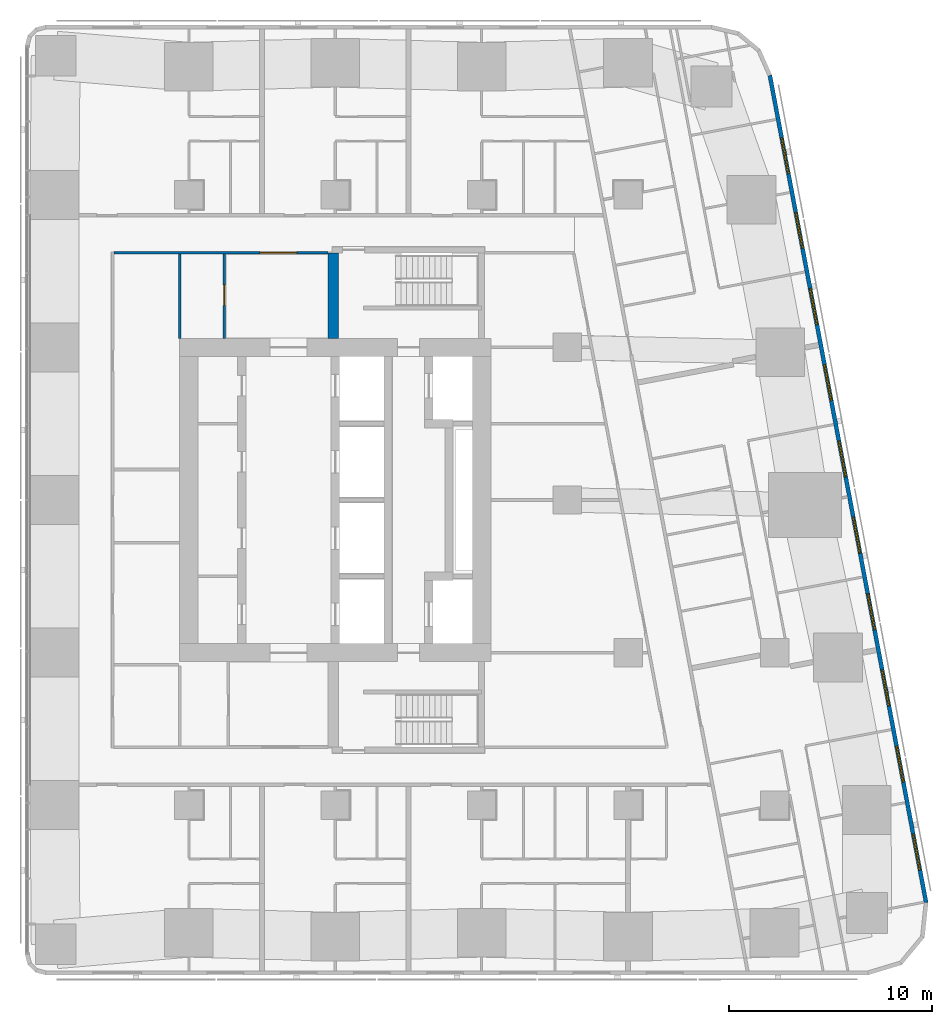
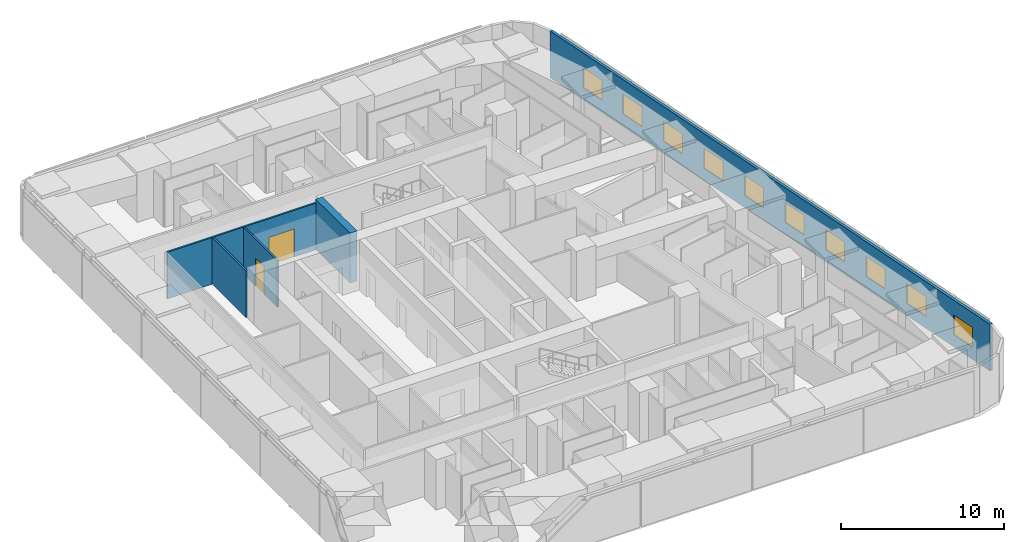
# One storey, part 12 of 17: 10 windows, 5 walls, 2 doors, 12 openings.
"""IFC4 building model written with IfcOpenShell, lengths in metres."""

from ifc_helpers import new_model, si_unit, direction, frame, frame_2d, origin, place, context, subcontext, project, spatial, rectangle, extrude, material, layer, layer_set, type_object, element, fill, save


model = new_model("IFC4")

# Units and contexts
model_context = context("Model", 3, precision=1e-05, world=origin(), true_north=direction((0.0, 1.0)))
body_context = subcontext(model_context, "Body", "Model", "MODEL_VIEW")
ifc_project = project(units=[si_unit("LENGTHUNIT", "METRE"), si_unit("AREAUNIT", "SQUARE_METRE"), si_unit("VOLUMEUNIT", "CUBIC_METRE"), si_unit("PLANEANGLEUNIT", "RADIAN"), si_unit("MASSUNIT", "GRAM", prefix="KILO")], contexts=[model_context])

# Site, building, storey
site_placement = place(None, origin())
site = spatial("IfcSite", under=ifc_project, at=site_placement, CompositionType="ELEMENT")
building_placement = place(site_placement, origin())
building = spatial("IfcBuilding", under=site, at=building_placement, Name="Sheger Commons Tower", CompositionType="ELEMENT")
storey_placement = place(building_placement, frame((0.0, 0.0, 204.949951171875)))
storey = spatial("IfcBuildingStorey", under=building, at=storey_placement, Name="L52", CompositionType="ELEMENT", Elevation=204.949951171875)

# Wall, openings, windows
ifc_material_1 = material(Name="Rendered concrete block masonry, dark grey", Category="masonry")
ifc_layer_1 = layer(ifc_material_1, 0.199951171875)
ifc_layer_set_1 = layer_set([ifc_layer_1], Name="FACADE WALL 200")
wall_type_1 = type_object("IfcWallType", Name="FACADE WALL 200", PredefinedType="SOLIDWALL", material=ifc_layer_set_1)
wall_1_placement = place(storey_placement, frame((50.653076171875, 2.702880859375, 0.0), z_axis=(0.0, 0.0, 1.0), x_axis=(-0.185612026696, 0.982623109613, 0.0)))
wall_1 = element("IfcWall", 1, at=wall_1_placement, inside=storey, type_object=wall_type_1, Name="Facade wall L52", PredefinedType="SOLIDWALL", context=body_context, shape_type="SweptSolid", body=[
    extrude(rectangle(XDim=41.393310546875, YDim=0.199951171875, at=frame_2d((20.69677734375, 0.0))), origin(), (0.0, 0.0, 1.0), 3.5),
])
opening_1_placement = place(wall_1_placement, frame((1.633056640625, 0.0, 0.89990234375)))
opening_1 = element("IfcOpeningElement", 2, at=opening_1_placement, cuts=wall_1, Name="Opening W2", PredefinedType="OPENING", context=body_context, shape_type="SweptSolid", body=[
    extrude(rectangle(XDim=1.800048828125, YDim=1.5, at=frame_2d((0.89990234375, 0.75))), frame((0.0, 0.10986328125, 0.0), z_axis=(0.0, -1.0, 0.0), x_axis=(1.0, 0.0, 0.0)), (0.0, 0.0, 1.0), 0.219970703125),
])
opening_2_placement = place(wall_1_placement, frame((6.031982421875, 0.0, 0.89990234375)))
opening_2 = element("IfcOpeningElement", 3, at=opening_2_placement, cuts=wall_1, Name="Opening W2", PredefinedType="OPENING", context=body_context, shape_type="SweptSolid", body=[
    extrude(rectangle(XDim=1.800048828125, YDim=1.5, at=frame_2d((0.89990234375, 0.75))), frame((0.0, 0.10986328125, 0.0), z_axis=(0.0, -1.0, 0.0), x_axis=(1.0, 0.0, 0.0)), (0.0, 0.0, 1.0), 0.219970703125),
])
opening_3_placement = place(wall_1_placement, frame((9.847900390625, 0.0, 0.89990234375)))
opening_3 = element("IfcOpeningElement", 4, at=opening_3_placement, cuts=wall_1, Name="Opening W2", PredefinedType="OPENING", context=body_context, shape_type="SweptSolid", body=[
    extrude(rectangle(XDim=1.800048828125, YDim=1.5, at=frame_2d((0.89990234375, 0.75))), frame((0.0, 0.10986328125, 0.0), z_axis=(0.0, -1.0, 0.0), x_axis=(1.0, 0.0, 0.0)), (0.0, 0.0, 1.0), 0.219970703125),
])
opening_4_placement = place(wall_1_placement, frame((13.6640625, 0.0, 0.89990234375)))
opening_4 = element("IfcOpeningElement", 5, at=opening_4_placement, cuts=wall_1, Name="Opening W2", PredefinedType="OPENING", context=body_context, shape_type="SweptSolid", body=[
    extrude(rectangle(XDim=1.800048828125, YDim=1.5, at=frame_2d((0.89990234375, 0.75))), frame((0.0, 0.10986328125, 0.0), z_axis=(0.0, -1.0, 0.0), x_axis=(1.0, 0.0, 0.0)), (0.0, 0.0, 1.0), 0.219970703125),
])
opening_5_placement = place(wall_1_placement, frame((17.48095703125, 0.0, 0.89990234375)))
opening_5 = element("IfcOpeningElement", 6, at=opening_5_placement, cuts=wall_1, Name="Opening W2", PredefinedType="OPENING", context=body_context, shape_type="SweptSolid", body=[
    extrude(rectangle(XDim=1.800048828125, YDim=1.5, at=frame_2d((0.89990234375, 0.75))), frame((0.0, 0.10986328125, 0.0), z_axis=(0.0, -1.0, 0.0), x_axis=(1.0, 0.0, 0.0)), (0.0, 0.0, 1.0), 0.219970703125),
])
opening_6_placement = place(wall_1_placement, frame((21.297119140625, 0.0, 0.89990234375)))
opening_6 = element("IfcOpeningElement", 7, at=opening_6_placement, cuts=wall_1, Name="Opening W2", PredefinedType="OPENING", context=body_context, shape_type="SweptSolid", body=[
    extrude(rectangle(XDim=1.800048828125, YDim=1.5, at=frame_2d((0.89990234375, 0.75))), frame((0.0, 0.10986328125, 0.0), z_axis=(0.0, -1.0, 0.0), x_axis=(1.0, 0.0, 0.0)), (0.0, 0.0, 1.0), 0.219970703125),
])
opening_7_placement = place(wall_1_placement, frame((25.113037109375, 0.0, 0.89990234375)))
opening_7 = element("IfcOpeningElement", 8, at=opening_7_placement, cuts=wall_1, Name="Opening W2", PredefinedType="OPENING", context=body_context, shape_type="SweptSolid", body=[
    extrude(rectangle(XDim=1.800048828125, YDim=1.5, at=frame_2d((0.89990234375, 0.75))), frame((0.0, 0.10986328125, 0.0), z_axis=(0.0, -1.0, 0.0), x_axis=(1.0, 0.0, 0.0)), (0.0, 0.0, 1.0), 0.219970703125),
])
opening_8_placement = place(wall_1_placement, frame((28.929931640625, 0.0, 0.89990234375)))
opening_8 = element("IfcOpeningElement", 9, at=opening_8_placement, cuts=wall_1, Name="Opening W2", PredefinedType="OPENING", context=body_context, shape_type="SweptSolid", body=[
    extrude(rectangle(XDim=1.800048828125, YDim=1.5, at=frame_2d((0.89990234375, 0.75))), frame((0.0, 0.10986328125, 0.0), z_axis=(0.0, -1.0, 0.0), x_axis=(1.0, 0.0, 0.0)), (0.0, 0.0, 1.0), 0.219970703125),
])
opening_9_placement = place(wall_1_placement, frame((32.74609375, 0.0, 0.89990234375)))
opening_9 = element("IfcOpeningElement", 10, at=opening_9_placement, cuts=wall_1, Name="Opening W2", PredefinedType="OPENING", context=body_context, shape_type="SweptSolid", body=[
    extrude(rectangle(XDim=1.800048828125, YDim=1.5, at=frame_2d((0.89990234375, 0.75))), frame((0.0, 0.10986328125, 0.0), z_axis=(0.0, -1.0, 0.0), x_axis=(1.0, 0.0, 0.0)), (0.0, 0.0, 1.0), 0.219970703125),
])
opening_10_placement = place(wall_1_placement, frame((36.48095703125, 0.0, 0.89990234375)))
opening_10 = element("IfcOpeningElement", 11, at=opening_10_placement, cuts=wall_1, Name="Opening W2", PredefinedType="OPENING", context=body_context, shape_type="SweptSolid", body=[
    extrude(rectangle(XDim=1.800048828125, YDim=1.5, at=frame_2d((0.89990234375, 0.75))), frame((0.0, 0.10986328125, 0.0), z_axis=(0.0, -1.0, 0.0), x_axis=(1.0, 0.0, 0.0)), (0.0, 0.0, 1.0), 0.219970703125),
])
ifc_material_2 = material(Name="Black aluminium frame, dark tinted double glazing", Category="aluminium")
window_type = type_object("IfcWindowType", Name="WINDOW W2 1800x1500", PartitioningType="SINGLE_PANEL", PredefinedType="WINDOW", material=ifc_material_2)
window_1_placement = place(opening_1_placement, origin())
window_1 = element("IfcWindow", 12, at=window_1_placement, inside=storey, type_object=window_type, Name="Window W2 1800X1500", OverallHeight=1.5, OverallWidth=1.800048828125, PartitioningType="SINGLE_PANEL", PredefinedType="WINDOW", context=body_context, shape_type="SweptSolid", body=[
    extrude(rectangle(XDim=1.800048828125, YDim=1.5, at=frame_2d((0.89990234375, 0.75))), frame((0.0, 0.030029296875, 0.0), z_axis=(0.0, -1.0, 0.0), x_axis=(1.0, 0.0, 0.0)), (0.0, 0.0, 1.0), 0.06005859375),
])
fill(opening_1, window_1)
window_2_placement = place(opening_2_placement, origin())
window_2 = element("IfcWindow", 13, at=window_2_placement, inside=storey, type_object=window_type, Name="Window W2 1800X1500", OverallHeight=1.5, OverallWidth=1.800048828125, PartitioningType="SINGLE_PANEL", PredefinedType="WINDOW", context=body_context, shape_type="SweptSolid", body=[
    extrude(rectangle(XDim=1.800048828125, YDim=1.5, at=frame_2d((0.89990234375, 0.75))), frame((0.0, 0.030029296875, 0.0), z_axis=(0.0, -1.0, 0.0), x_axis=(1.0, 0.0, 0.0)), (0.0, 0.0, 1.0), 0.06005859375),
])
fill(opening_2, window_2)
window_3_placement = place(opening_3_placement, origin())
window_3 = element("IfcWindow", 14, at=window_3_placement, inside=storey, type_object=window_type, Name="Window W2 1800X1500", OverallHeight=1.5, OverallWidth=1.800048828125, PartitioningType="SINGLE_PANEL", PredefinedType="WINDOW", context=body_context, shape_type="SweptSolid", body=[
    extrude(rectangle(XDim=1.800048828125, YDim=1.5, at=frame_2d((0.89990234375, 0.75))), frame((0.0, 0.030029296875, 0.0), z_axis=(0.0, -1.0, 0.0), x_axis=(1.0, 0.0, 0.0)), (0.0, 0.0, 1.0), 0.06005859375),
])
fill(opening_3, window_3)
window_4_placement = place(opening_4_placement, origin())
window_4 = element("IfcWindow", 15, at=window_4_placement, inside=storey, type_object=window_type, Name="Window W2 1800X1500", OverallHeight=1.5, OverallWidth=1.800048828125, PartitioningType="SINGLE_PANEL", PredefinedType="WINDOW", context=body_context, shape_type="SweptSolid", body=[
    extrude(rectangle(XDim=1.800048828125, YDim=1.5, at=frame_2d((0.89990234375, 0.75))), frame((0.0, 0.030029296875, 0.0), z_axis=(0.0, -1.0, 0.0), x_axis=(1.0, 0.0, 0.0)), (0.0, 0.0, 1.0), 0.06005859375),
])
fill(opening_4, window_4)
window_5_placement = place(opening_5_placement, origin())
window_5 = element("IfcWindow", 16, at=window_5_placement, inside=storey, type_object=window_type, Name="Window W2 1800X1500", OverallHeight=1.5, OverallWidth=1.800048828125, PartitioningType="SINGLE_PANEL", PredefinedType="WINDOW", context=body_context, shape_type="SweptSolid", body=[
    extrude(rectangle(XDim=1.800048828125, YDim=1.5, at=frame_2d((0.89990234375, 0.75))), frame((0.0, 0.030029296875, 0.0), z_axis=(0.0, -1.0, 0.0), x_axis=(1.0, 0.0, 0.0)), (0.0, 0.0, 1.0), 0.06005859375),
])
fill(opening_5, window_5)
window_6_placement = place(opening_6_placement, origin())
window_6 = element("IfcWindow", 17, at=window_6_placement, inside=storey, type_object=window_type, Name="Window W2 1800X1500", OverallHeight=1.5, OverallWidth=1.800048828125, PartitioningType="SINGLE_PANEL", PredefinedType="WINDOW", context=body_context, shape_type="SweptSolid", body=[
    extrude(rectangle(XDim=1.800048828125, YDim=1.5, at=frame_2d((0.89990234375, 0.75))), frame((0.0, 0.030029296875, 0.0), z_axis=(0.0, -1.0, 0.0), x_axis=(1.0, 0.0, 0.0)), (0.0, 0.0, 1.0), 0.06005859375),
])
fill(opening_6, window_6)
window_7_placement = place(opening_7_placement, origin())
window_7 = element("IfcWindow", 18, at=window_7_placement, inside=storey, type_object=window_type, Name="Window W2 1800X1500", OverallHeight=1.5, OverallWidth=1.800048828125, PartitioningType="SINGLE_PANEL", PredefinedType="WINDOW", context=body_context, shape_type="SweptSolid", body=[
    extrude(rectangle(XDim=1.800048828125, YDim=1.5, at=frame_2d((0.89990234375, 0.75))), frame((0.0, 0.030029296875, 0.0), z_axis=(0.0, -1.0, 0.0), x_axis=(1.0, 0.0, 0.0)), (0.0, 0.0, 1.0), 0.06005859375),
])
fill(opening_7, window_7)
window_8_placement = place(opening_8_placement, origin())
window_8 = element("IfcWindow", 19, at=window_8_placement, inside=storey, type_object=window_type, Name="Window W2 1800X1500", OverallHeight=1.5, OverallWidth=1.800048828125, PartitioningType="SINGLE_PANEL", PredefinedType="WINDOW", context=body_context, shape_type="SweptSolid", body=[
    extrude(rectangle(XDim=1.800048828125, YDim=1.5, at=frame_2d((0.89990234375, 0.75))), frame((0.0, 0.030029296875, 0.0), z_axis=(0.0, -1.0, 0.0), x_axis=(1.0, 0.0, 0.0)), (0.0, 0.0, 1.0), 0.06005859375),
])
fill(opening_8, window_8)
window_9_placement = place(opening_9_placement, origin())
window_9 = element("IfcWindow", 20, at=window_9_placement, inside=storey, type_object=window_type, Name="Window W2 1800X1500", OverallHeight=1.5, OverallWidth=1.800048828125, PartitioningType="SINGLE_PANEL", PredefinedType="WINDOW", context=body_context, shape_type="SweptSolid", body=[
    extrude(rectangle(XDim=1.800048828125, YDim=1.5, at=frame_2d((0.89990234375, 0.75))), frame((0.0, 0.030029296875, 0.0), z_axis=(0.0, -1.0, 0.0), x_axis=(1.0, 0.0, 0.0)), (0.0, 0.0, 1.0), 0.06005859375),
])
fill(opening_9, window_9)
window_10_placement = place(opening_10_placement, origin())
window_10 = element("IfcWindow", 21, at=window_10_placement, inside=storey, type_object=window_type, Name="Window W2 1800X1500", OverallHeight=1.5, OverallWidth=1.800048828125, PartitioningType="SINGLE_PANEL", PredefinedType="WINDOW", context=body_context, shape_type="SweptSolid", body=[
    extrude(rectangle(XDim=1.800048828125, YDim=1.5, at=frame_2d((0.89990234375, 0.75))), frame((0.0, 0.030029296875, 0.0), z_axis=(0.0, -1.0, 0.0), x_axis=(1.0, 0.0, 0.0)), (0.0, 0.0, 1.0), 0.06005859375),
])
fill(opening_10, window_10)

# Wall
ifc_material_3 = material(Name="Gypsum board on steel studs, two layers each side, fire rated", Category="steel")
ifc_layer_2 = layer(ifc_material_3, 0.125)
ifc_layer_set_2 = layer_set([ifc_layer_2], Name="SERVICE WALL 125")
wall_type_2 = type_object("IfcWallType", Name="SERVICE WALL 125", PredefinedType="PARTITIONING", material=ifc_layer_set_2)
wall_2_placement = place(storey_placement, frame((13.949951171875, 30.449951171875, 0.0), z_axis=(0.0, 0.0, 1.0), x_axis=(0.0, 1.0, 0.0)))
element("IfcWall", 22, at=wall_2_placement, inside=storey, type_object=wall_type_2, Name="Service room wall L52", PredefinedType="PARTITIONING", context=body_context, shape_type="SweptSolid", body=[
    extrude(rectangle(XDim=4.136962890625, YDim=0.125, at=frame_2d((2.068359375, 0.0))), origin(), (0.0, 0.0, 1.0), 3.5),
])

# Wall, opening, door
wall_3_placement = place(storey_placement, frame((10.712890625, 34.64990234375, 0.0), z_axis=(0.0, 0.0, 1.0), x_axis=(1.0, 0.0, 0.0)))
wall_3 = element("IfcWall", 23, at=wall_3_placement, inside=storey, type_object=wall_type_2, Name="Service room wall L52", PredefinedType="PARTITIONING", context=body_context, shape_type="SweptSolid", body=[
    extrude(rectangle(XDim=10.537109375, YDim=0.125, at=frame_2d((5.2685546875, 0.0))), origin(), (0.0, 0.0, 1.0), 3.5),
])
opening_11_placement = place(wall_3_placement, frame((7.18701171875, 0.0, 0.0)))
opening_11 = element("IfcOpeningElement", 24, at=opening_11_placement, cuts=wall_3, Name="Opening D6", PredefinedType="OPENING", context=body_context, shape_type="SweptSolid", body=[
    extrude(rectangle(XDim=1.800048828125, YDim=2.10009765625, at=frame_2d((0.89990234375, 1.050048828125))), frame((0.0, 0.072509765625, 0.0), z_axis=(0.0, -1.0, 0.0), x_axis=(1.0, 0.0, 0.0)), (0.0, 0.0, 1.0), 0.14501953125),
])
ifc_material_4 = material(Name="Steel door set, fire rated", Category="steel")
door_type_1 = type_object("IfcDoorType", Name="LOBBY DOUBLE DOOR 1800x2100", OperationType="DOUBLE_DOOR_SINGLE_SWING", PredefinedType="DOOR", material=ifc_material_4)
door_1_placement = place(opening_11_placement, origin())
door_1 = element("IfcDoor", 25, at=door_1_placement, inside=storey, type_object=door_type_1, Name="Lift lobby north door", OperationType="DOUBLE_DOOR_SINGLE_SWING", OverallHeight=2.10009765625, OverallWidth=1.800048828125, PredefinedType="DOOR", context=body_context, shape_type="SweptSolid", body=[
    extrude(rectangle(XDim=1.800048828125, YDim=2.10009765625, at=frame_2d((0.89990234375, 1.050048828125))), frame((0.0, 0.02490234375, 0.0), z_axis=(0.0, -1.0, 0.0), x_axis=(1.0, 0.0, 0.0)), (0.0, 0.0, 1.0), 0.050048828125),
])
fill(opening_11, door_1)

wall_4_placement = place(storey_placement, frame((16.14990234375, 30.449951171875, 0.0), z_axis=(0.0, 0.0, 1.0), x_axis=(0.0, 1.0, 0.0)))
wall_4 = element("IfcWall", 26, at=wall_4_placement, inside=storey, type_object=wall_type_2, Name="Service room wall L52", PredefinedType="PARTITIONING", context=body_context, shape_type="SweptSolid", body=[
    extrude(rectangle(XDim=4.136962890625, YDim=0.125, at=frame_2d((2.068359375, 0.0))), origin(), (0.0, 0.0, 1.0), 3.5),
])
opening_12_placement = place(wall_4_placement, frame((1.625, 0.0, 0.0)))
opening_12 = element("IfcOpeningElement", 27, at=opening_12_placement, cuts=wall_4, Name="Opening D4", PredefinedType="OPENING", context=body_context, shape_type="SweptSolid", body=[
    extrude(rectangle(XDim=1.0, YDim=2.10009765625, at=frame_2d((0.5, 1.050048828125))), frame((0.0, 0.072509765625, 0.0), z_axis=(0.0, -1.0, 0.0), x_axis=(1.0, 0.0, 0.0)), (0.0, 0.0, 1.0), 0.14501953125),
])
ifc_material_5 = material(Name="Steel door set, fire rated", Category="steel")
door_type_2 = type_object("IfcDoorType", Name="SERVICE DOOR 1000x2100", OperationType="NOTDEFINED", PredefinedType="DOOR", material=ifc_material_5)
door_2_placement = place(opening_12_placement, origin())
door_2 = element("IfcDoor", 28, at=door_2_placement, inside=storey, type_object=door_type_2, Name="Telecom room door", OperationType="SINGLE_SWING_RIGHT", OverallHeight=2.10009765625, OverallWidth=1.0, PredefinedType="DOOR", context=body_context, shape_type="SweptSolid", body=[
    extrude(rectangle(XDim=1.0, YDim=2.10009765625, at=frame_2d((0.5, 1.050048828125))), frame((0.0, 0.02490234375, 0.0), z_axis=(0.0, -1.0, 0.0), x_axis=(1.0, 0.0, 0.0)), (0.0, 0.0, 1.0), 0.050048828125),
])
fill(opening_12, door_2)

# Wall
ifc_material_6 = material(Name="Concrete C50/60", Category="concrete")
ifc_layer_3 = layer(ifc_material_6, 0.5)
ifc_layer_set_3 = layer_set([ifc_layer_3], Name="STAIR CORE WALL 500")
wall_type_3 = type_object("IfcWallType", Name="STAIR CORE WALL 500", PredefinedType="SHEAR", material=ifc_layer_set_3)
wall_5_placement = place(storey_placement, frame((21.5, 30.449951171875, 0.0), z_axis=(0.0, 0.0, 1.0), x_axis=(0.0, 1.0, 0.0)))
element("IfcWall", 29, at=wall_5_placement, inside=storey, type_object=wall_type_3, Name="STW-L52-S2W", PredefinedType="SHEAR", context=body_context, shape_type="SweptSolid", body=[
    extrude(rectangle(XDim=4.199951171875, YDim=0.5, at=frame_2d((2.10009765625, 0.0))), origin(), (0.0, 0.0, 1.0), 3.75),
])

save(model, "model.ifc")
